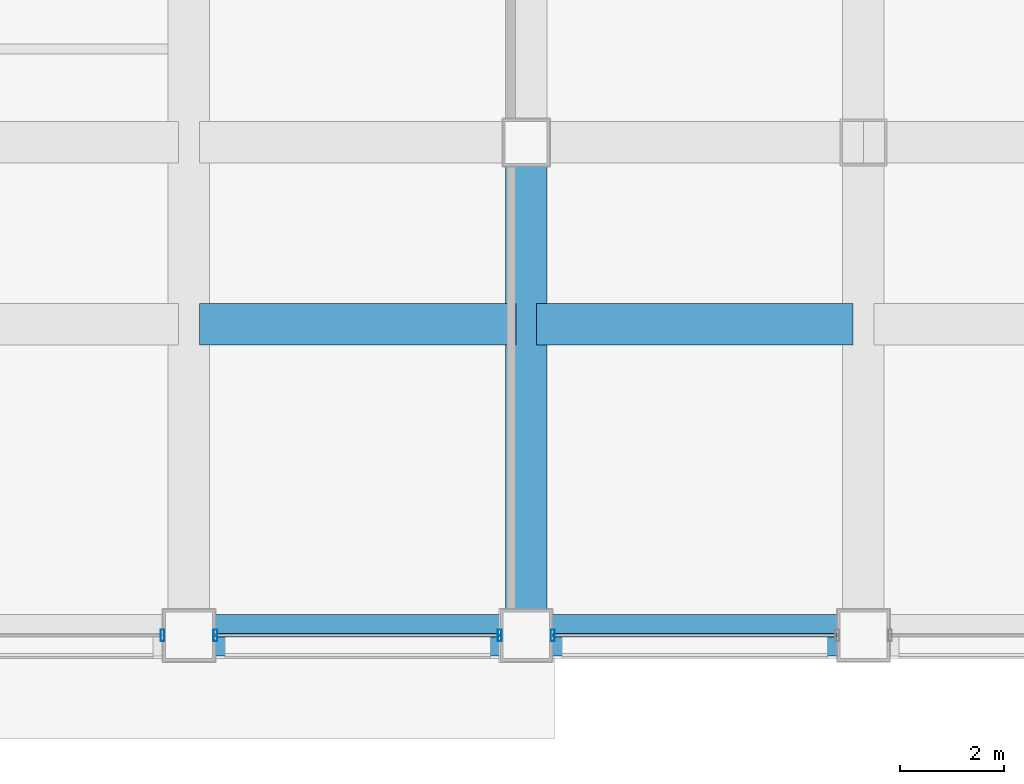
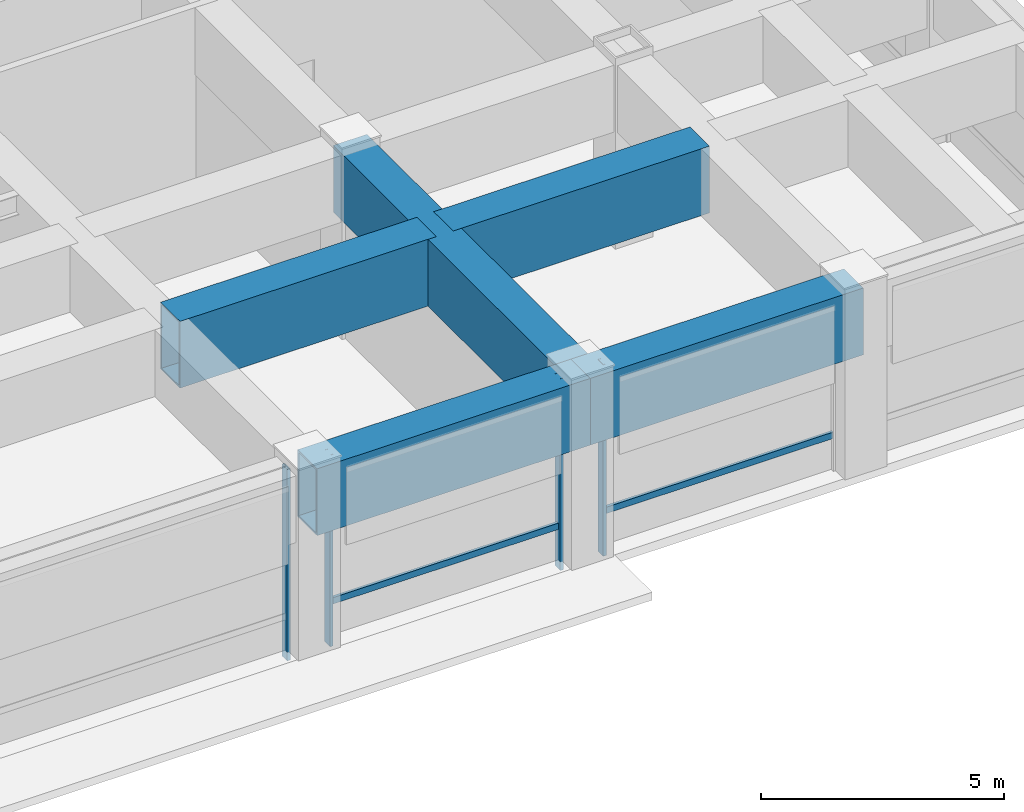
# One storey, part 9 of 30: 6 members, 5 beams, 3 elements without a shape of their own.
"""IFC4 building model written with IfcOpenShell, lengths in metres."""

from ifc_helpers import new_model, si_unit, direction, frame, origin, origin_2d, place, context, subcontext, project, spatial, hollow_rectangle, extrude, material, layer, layer_set, material_profile, profile_set, type_object, element, aggregate, save


model = new_model("IFC4")

# Units and contexts
model_context = context("Model", 3, precision=1e-05, world=origin(), true_north=direction((0.0, 1.0)))
body_context = subcontext(model_context, "Body", "Model", "MODEL_VIEW")
ifc_project = project(units=[si_unit("LENGTHUNIT", "METRE"), si_unit("AREAUNIT", "SQUARE_METRE"), si_unit("VOLUMEUNIT", "CUBIC_METRE"), si_unit("PLANEANGLEUNIT", "RADIAN"), si_unit("MASSUNIT", "GRAM", prefix="KILO")], contexts=[model_context])

# Site, building, storey
site_placement = place(None, origin())
site = spatial("IfcSite", under=ifc_project, at=site_placement, CompositionType="ELEMENT")
building_placement = place(site_placement, origin())
building = spatial("IfcBuilding", under=site, at=building_placement, Name="Brelmoor Portico Tower", CompositionType="ELEMENT")
storey_placement = place(building_placement, frame((0.0, 0.0, 19.199951171875)))
storey = spatial("IfcBuildingStorey", under=building, at=storey_placement, Name="L04", CompositionType="ELEMENT", Elevation=19.199951171875)

# Beams
ifc_material_1 = material(Name="Steel Q355B", Category="steel")
ifc_material_profile_1 = material_profile(ifc_material_1, hollow_rectangle(XDim=0.800048828125, YDim=1.679931640625, WallThickness=0.044921875, at=origin_2d()), Name="BOX 800x1680x45")
ifc_profile_set_1 = profile_set([ifc_material_profile_1], Name="Steel Q355B")
beam_type = type_object("IfcBeamType", Name="BM-TG-Z1", PredefinedType="BEAM", material=ifc_profile_set_1)
for number, where, z_axis, x_axis, name in (
    (1, (8.050048828125, -27.550048828125, 3.760009765625), (1.0, 0.0, 0.0), (0.0, 1.0, 0.0), "L04 Perimeter Transfer Beam SP-05"),
    (2, (14.550048828125, -27.550048828125, 3.760009765625), (1.0, 0.0, 0.0), (0.0, 1.0, 0.0), "L04 Perimeter Transfer Beam SP-06"),
):
    element("IfcBeam", number, at=place(storey_placement, frame(where, z_axis=z_axis, x_axis=x_axis)), inside=storey, type_object=beam_type, Name=name, PredefinedType="BEAM", context=body_context, shape_type="SweptSolid", body=[
        extrude(hollow_rectangle(XDim=0.800048828125, YDim=1.679931640625, WallThickness=0.044921875, at=origin_2d()), origin(), (0.0, 0.0, 1.0), 6.5),
    ])
beam_placement = place(storey_placement, frame((14.550048828125, -27.550048828125, 3.760009765625), z_axis=(0.0, 1.0, 0.0), x_axis=(-1.0, 0.0, 0.0)))
element("IfcBeam", 3, at=beam_placement, inside=storey, type_object=beam_type, Name="L04 Setback Transfer Girder PG-13", PredefinedType="BEAM", context=body_context, shape_type="SweptSolid", body=[
    extrude(hollow_rectangle(XDim=0.800048828125, YDim=1.679931640625, WallThickness=0.044921875, at=origin_2d()), origin(), (0.0, 0.0, 1.0), 9.5),
])
for number, where, z_axis, x_axis, name in (
    (4, (8.25, -21.550048828125, 3.760009765625), (1.0, 0.0, 0.0), (0.0, 1.0, 0.0), "L04 Setback Transfer Girder TGN-05"),
    (5, (14.75, -21.550048828125, 3.760009765625), (1.0, 0.0, 0.0), (0.0, 1.0, 0.0), "L04 Setback Transfer Girder TGN-06"),
):
    element("IfcBeam", number, at=place(storey_placement, frame(where, z_axis=z_axis, x_axis=x_axis)), inside=storey, type_object=beam_type, Name=name, PredefinedType="BEAM", context=body_context, shape_type="SweptSolid", body=[
        extrude(hollow_rectangle(XDim=0.800048828125, YDim=1.679931640625, WallThickness=0.044921875, at=origin_2d()), origin(), (0.0, 0.0, 1.0), 6.10009765625),
    ])

# Curtain wall, member
ifc_material_2 = material(Name="Anodised Aluminium Alloy 6063-T6", Category="aluminium")
ifc_layer = layer(ifc_material_2, 0.179931640625)
ifc_layer_set = layer_set([ifc_layer], Name="Anodised Aluminium Alloy 6063-T6")
curtain_wall_type = type_object("IfcCurtainWallType", Name="CW-PODIUM-ARCH", PredefinedType="NOTDEFINED", material=ifc_layer_set)
curtain_wall_1_placement = place(storey_placement, origin())
curtain_wall_1 = element("IfcCurtainWall", 6, at=curtain_wall_1_placement, inside=storey, type_object=curtain_wall_type, Name="L04 Curtain Wall CW-L04-01-4", PredefinedType="NOTDEFINED")
ifc_material_profile_2 = material_profile(ifc_material_2, hollow_rectangle(XDim=0.074951171875, YDim=0.219970703125, WallThickness=0.0048828125, at=origin_2d()), Name="ALU MULLION 75x220")
ifc_profile_set_2 = profile_set([ifc_material_profile_2], Name="Anodised Aluminium Alloy 6063-T6")
member_type_1 = type_object("IfcMemberType", Name="MB-CW-MULL-220", PredefinedType="MULLION", material=ifc_profile_set_2)
member_1_placement = place(storey_placement, frame((7.5400390625, -27.550048828125, -0.219970703125), z_axis=(0.0, 0.0, 1.0), x_axis=(1.0, 0.0, 0.0)))
member_1 = element("IfcMember", 7, at=member_1_placement, type_object=member_type_1, Name="CW-L04-01-4 Mullion 02", PredefinedType="MULLION", context=body_context, shape_type="SweptSolid", body=[
    extrude(hollow_rectangle(XDim=0.074951171875, YDim=0.219970703125, WallThickness=0.0048828125, at=origin_2d()), origin(), (0.0, 0.0, 1.0), 4.820068359375),
])
aggregate(curtain_wall_1, [member_1])

# Curtain wall, members
curtain_wall_2_placement = place(storey_placement, origin())
curtain_wall_2 = element("IfcCurtainWall", 8, at=curtain_wall_2_placement, inside=storey, type_object=curtain_wall_type, Name="L04 Curtain Wall CW-L04-01-5", PredefinedType="NOTDEFINED")
member_2_placement = place(storey_placement, frame((8.56005859375, -27.550048828125, -0.219970703125), z_axis=(0.0, 0.0, 1.0), x_axis=(1.0, 0.0, 0.0)))
member_2 = element("IfcMember", 9, at=member_2_placement, type_object=member_type_1, Name="CW-L04-01-5 Mullion 00", PredefinedType="MULLION", context=body_context, shape_type="SweptSolid", body=[
    extrude(hollow_rectangle(XDim=0.074951171875, YDim=0.219970703125, WallThickness=0.0048828125, at=origin_2d()), origin(), (0.0, 0.0, 1.0), 4.820068359375),
])
member_3_placement = place(storey_placement, frame((14.0400390625, -27.550048828125, -0.219970703125), z_axis=(0.0, 0.0, 1.0), x_axis=(1.0, 0.0, 0.0)))
member_3 = element("IfcMember", 10, at=member_3_placement, type_object=member_type_1, Name="CW-L04-01-5 Mullion 01", PredefinedType="MULLION", context=body_context, shape_type="SweptSolid", body=[
    extrude(hollow_rectangle(XDim=0.074951171875, YDim=0.219970703125, WallThickness=0.0048828125, at=origin_2d()), origin(), (0.0, 0.0, 1.0), 4.820068359375),
])

# Curtain wall, member
curtain_wall_3_placement = place(storey_placement, origin())
curtain_wall_3 = element("IfcCurtainWall", 11, at=curtain_wall_3_placement, inside=storey, type_object=curtain_wall_type, Name="L04 Curtain Wall CW-L04-01-6", PredefinedType="NOTDEFINED")
member_4_placement = place(storey_placement, frame((15.06005859375, -27.550048828125, -0.219970703125), z_axis=(0.0, 0.0, 1.0), x_axis=(1.0, 0.0, 0.0)))
member_4 = element("IfcMember", 12, at=member_4_placement, type_object=member_type_1, Name="CW-L04-01-6 Mullion 00", PredefinedType="MULLION", context=body_context, shape_type="SweptSolid", body=[
    extrude(hollow_rectangle(XDim=0.074951171875, YDim=0.219970703125, WallThickness=0.0048828125, at=origin_2d()), origin(), (0.0, 0.0, 1.0), 4.820068359375),
])

# Member
ifc_material_profile_3 = material_profile(ifc_material_2, hollow_rectangle(XDim=0.070068359375, YDim=0.159912109375, WallThickness=0.00390625, at=origin_2d()), Name="ALU TRANSOM 70x160")
ifc_profile_set_3 = profile_set([ifc_material_profile_3], Name="Anodised Aluminium Alloy 6063-T6")
member_type_2 = type_object("IfcMemberType", Name="MB-CW-TRAN-160", PredefinedType="USERDEFINED", material=ifc_profile_set_3)
member_5_placement = place(storey_placement, frame((8.56005859375, -27.550048828125, 0.85009765625), z_axis=(1.0, 0.0, 0.0), x_axis=(0.0, 1.0, 0.0)))
member_5 = element("IfcMember", 13, at=member_5_placement, type_object=member_type_2, Name="CW-L04-01-5 Transom 1-00", ObjectType="TRANSOM", PredefinedType="USERDEFINED", context=body_context, shape_type="SweptSolid", body=[
    extrude(hollow_rectangle(XDim=0.070068359375, YDim=0.159912109375, WallThickness=0.00390625, at=origin_2d()), origin(), (0.0, 0.0, 1.0), 5.47998046875),
])

aggregate(curtain_wall_2, [member_2, member_3, member_5])

member_6_placement = place(storey_placement, frame((15.06005859375, -27.550048828125, 0.85009765625), z_axis=(1.0, 0.0, 0.0), x_axis=(0.0, 1.0, 0.0)))
member_6 = element("IfcMember", 14, at=member_6_placement, type_object=member_type_2, Name="CW-L04-01-6 Transom 1-00", ObjectType="TRANSOM", PredefinedType="USERDEFINED", context=body_context, shape_type="SweptSolid", body=[
    extrude(hollow_rectangle(XDim=0.070068359375, YDim=0.159912109375, WallThickness=0.00390625, at=origin_2d()), origin(), (0.0, 0.0, 1.0), 5.47998046875),
])

aggregate(curtain_wall_3, [member_4, member_6])

save(model, "model.ifc")
